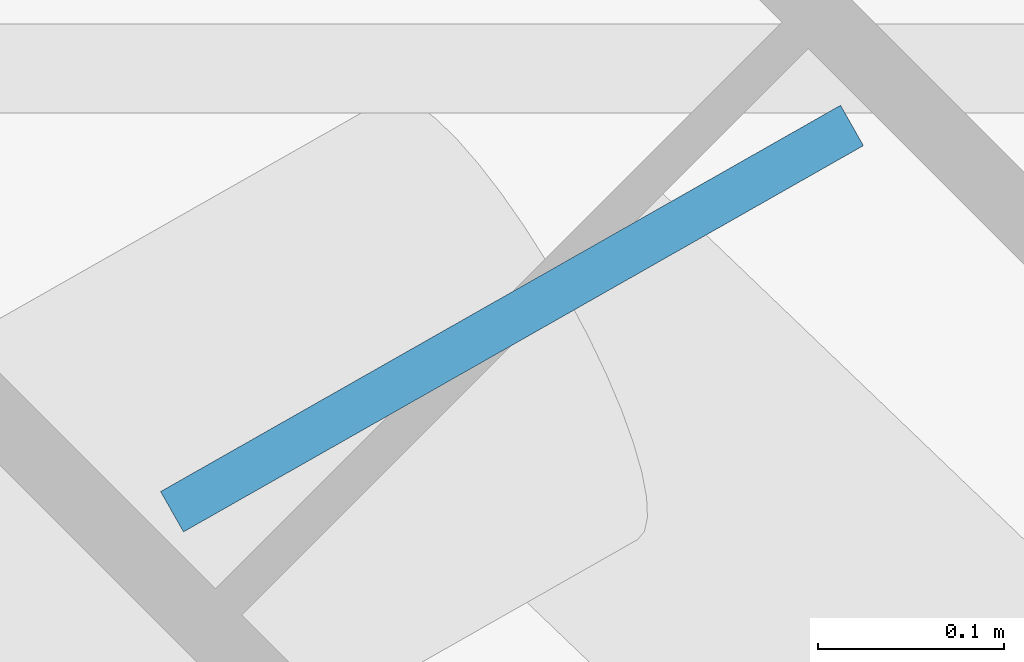
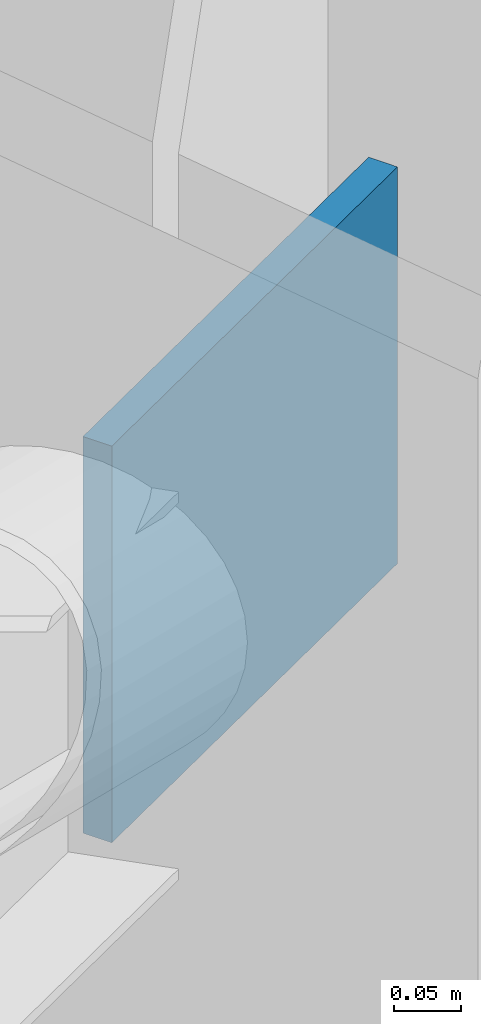
# One storey, part 72 of 107: 1 plate.
"""IFC4 building model written with IfcOpenShell, lengths in metres."""

from ifc_helpers import new_model, si_unit, direction, frame, origin, origin_2d, place, context, subcontext, project, spatial, rectangle, extrude, material, layer, layer_set, type_object, element, save


model = new_model("IFC4")

# Units and contexts
model_context = context("Model", 3, precision=1e-05, world=origin(), true_north=direction((0.0, 1.0)))
body_context = subcontext(model_context, "Body", "Model", "MODEL_VIEW")
ifc_project = project(units=[si_unit("LENGTHUNIT", "METRE"), si_unit("AREAUNIT", "SQUARE_METRE"), si_unit("VOLUMEUNIT", "CUBIC_METRE"), si_unit("PLANEANGLEUNIT", "RADIAN"), si_unit("MASSUNIT", "GRAM", prefix="KILO")], contexts=[model_context])

# Site, building, storey
site_placement = place(None, origin())
site = spatial("IfcSite", under=ifc_project, at=site_placement, CompositionType="ELEMENT")
building_placement = place(site_placement, origin())
building = spatial("IfcBuilding", under=site, at=building_placement, Name="Kalgoora Escarpment Arena", CompositionType="ELEMENT")
storey_placement = place(building_placement, frame((0.0, 0.0, 5.39990234375)))
storey = spatial("IfcBuildingStorey", under=building, at=storey_placement, Name="L01", CompositionType="ELEMENT", Elevation=5.39990234375)

# Plate
ifc_material = material(Name="Structural steel Grade 350 (350 MPa)", Category="steel")
ifc_layer = layer(ifc_material, 0.02490234375)
ifc_layer_set = layer_set([ifc_layer], Name="PLT-GUSSET-25")
plate_type = type_object("IfcPlateType", Name="PLT-GUSSET-25", PredefinedType="USERDEFINED", material=ifc_layer_set)
plate_placement = place(storey_placement, frame((130.583740234375, 35.7158203125, 2.33984375), z_axis=(0.0, 0.0, 1.0), x_axis=(-0.869494929505, -0.493941866584, 0.0)))
element("IfcPlate", 1, at=plate_placement, inside=storey, type_object=plate_type, Name="Brace and post end gusset plate 016", ObjectType="FLANGE PLATE", PredefinedType="USERDEFINED", context=body_context, shape_type="SweptSolid", body=[
    extrude(rectangle(XDim=0.419921875, YDim=0.02490234375, at=origin_2d()), origin(), (0.0, 0.0, 1.0), 0.360107421875),
])

save(model, "model.ifc")
